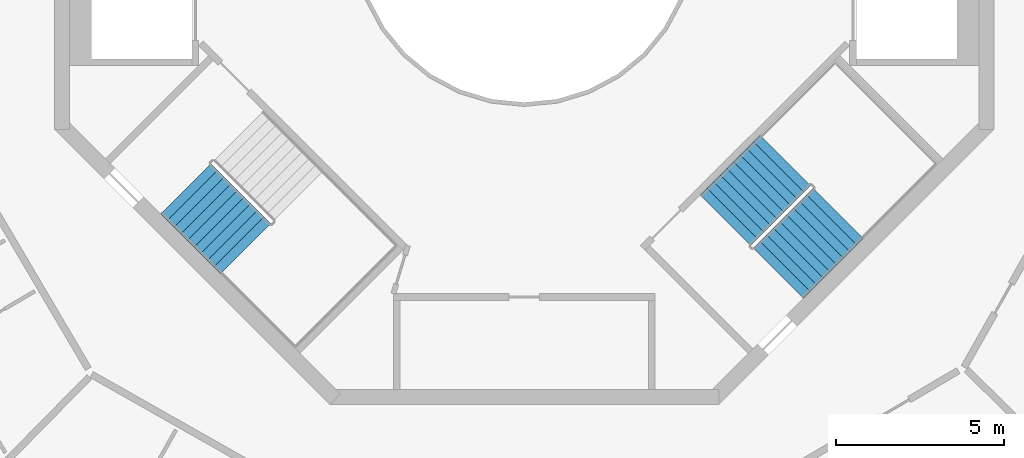
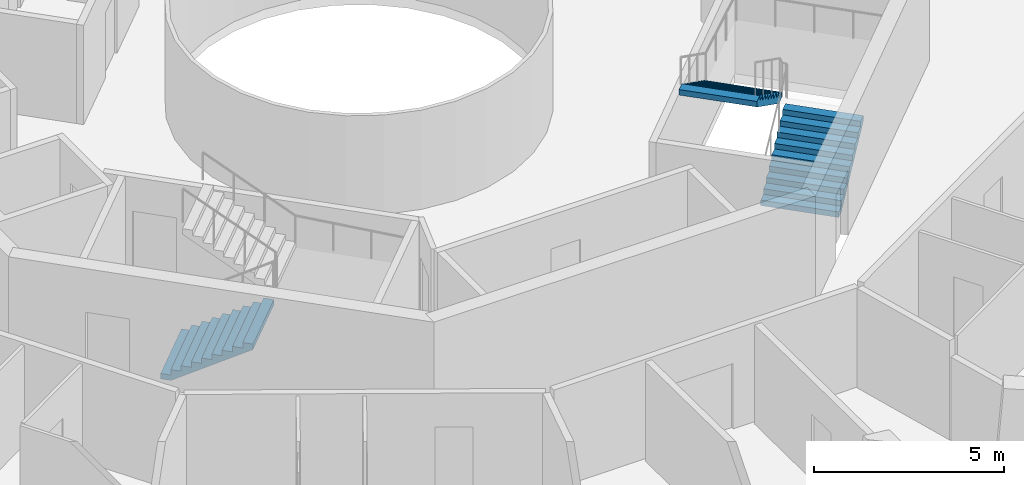
# One storey, part 24 of 26: 3 stair flights, 2 elements without a shape of their own.
"""IFC4 building model written with IfcOpenShell, lengths in metres."""

from ifc_helpers import new_model, si_unit, direction, frame, origin, place, context, subcontext, project, spatial, triangles, material, type_object, element, aggregate, save


model = new_model("IFC4")

# Units and contexts
model_context = context("Model", 3, precision=1e-05, world=origin(), true_north=direction((0.0, 1.0)))
body_context = subcontext(model_context, "Body", "Model", "MODEL_VIEW")
ifc_project = project(units=[si_unit("LENGTHUNIT", "METRE"), si_unit("AREAUNIT", "SQUARE_METRE"), si_unit("VOLUMEUNIT", "CUBIC_METRE"), si_unit("PLANEANGLEUNIT", "RADIAN"), si_unit("MASSUNIT", "GRAM", prefix="KILO")], contexts=[model_context])

# Site, building, storey
site_placement = place(None, origin())
site = spatial("IfcSite", under=ifc_project, at=site_placement, CompositionType="ELEMENT")
building_placement = place(site_placement, origin())
building = spatial("IfcBuilding", under=site, at=building_placement, Name="Verdalira Terraces Hotel", CompositionType="ELEMENT")
storey_placement = place(building_placement, frame((0.0, 0.0, 281.0)))
storey = spatial("IfcBuildingStorey", under=building, at=storey_placement, Name="L69", CompositionType="ELEMENT", Elevation=281.0)

# Stair, stair flight
ifc_material_1 = material(Name="Concrete C40", Category="concrete")
stair_type = type_object("IfcStairType", Name="Core stair 20 risers 2125 mm wide", PredefinedType="HALF_TURN_STAIR", material=ifc_material_1)
stair_1_placement = place(storey_placement, origin())
stair_1 = element("IfcStair", 1, at=stair_1_placement, inside=storey, type_object=stair_type, Name="L69 Exit stair ST2", PredefinedType="HALF_TURN_STAIR")
ifc_material_2 = material(Name="Concrete C40", Category="concrete")
stair_flight_type = type_object("IfcStairFlightType", Name="Core stair flight 20 risers 2125 mm wide", PredefinedType="STRAIGHT", material=ifc_material_2)
stair_flight_1_placement = place(storey_placement, frame((-10.085205, -7.574951, 0.0), z_axis=(0.0, 0.0, 1.0), x_axis=(0.707106781, -0.707106781, 0.0)))
stair_flight_1 = element("IfcStairFlight", 2, at=stair_flight_1_placement, type_object=stair_flight_type, Name="ST2 flight 1", NumberOfRisers=10, NumberOfTreads=9, PredefinedType="STRAIGHT", RiserHeight=0.175, TreadLength=0.28, context=body_context, shape_type="Tessellation", body=[
    triangles([(0.0, 1.0625, 0.0), (0.282715, 1.0625, 0.0), (2.52002, 1.0625, 1.398193), (0.0, -1.0625, 0.0), (0.282715, -1.0625, 0.0), (2.52002, -1.0625, 1.398193), (2.52002, 1.0625, 1.574951), (2.23999, 1.0625, 1.574951), (2.52002, -1.0625, 1.574951), (2.23999, -1.0625, 1.574951), (2.23999, 1.0625, 1.399902), (2.23999, -1.0625, 1.399902), (1.959961, 1.0625, 1.399902), (1.959961, -1.0625, 1.399902), (1.959961, 1.0625, 1.225098), (1.959961, -1.0625, 1.225098), (1.679932, 1.0625, 1.225098), (1.679932, 1.0625, 1.050049), (1.679932, -1.0625, 1.225098), (1.679932, -1.0625, 1.050049), (1.399902, 1.0625, 1.050049), (1.399902, 1.0625, 0.875), (1.399902, -1.0625, 1.050049), (1.399902, -1.0625, 0.875), (1.120117, 1.0625, 0.875), (1.120117, 1.0625, 0.699951), (1.120117, -1.0625, 0.875), (1.120117, -1.0625, 0.699951), (0.840088, 1.0625, 0.699951), (0.840088, 1.0625, 0.524902), (0.840088, -1.0625, 0.699951), (0.840088, -1.0625, 0.524902), (0.560059, 1.0625, 0.524902), (0.560059, 1.0625, 0.350098), (0.560059, -1.0625, 0.524902), (0.560059, -1.0625, 0.350098), (0.280029, 1.0625, 0.350098), (0.280029, 1.0625, 0.175049), (0.280029, -1.0625, 0.350098), (0.280029, -1.0625, 0.175049), (0.0, 1.0625, 0.175049), (0.0, -1.0625, 0.175049), (0.0, -0.996094, 0.0), (0.0, -0.996094, 0.175049), (0.0, -0.929688, 0.0), (0.0, -0.929688, 0.175049), (0.0, -0.863281, 0.0), (0.0, -0.863281, 0.175049), (0.0, -0.796875, 0.0), (0.0, -0.796875, 0.175049), (0.0, -0.730469, 0.0), (0.0, -0.730469, 0.175049), (0.0, -0.664062, 0.0), (0.0, -0.664062, 0.175049), (0.0, -0.597656, 0.0), (0.0, -0.597656, 0.175049), (0.0, -0.53125, 0.0), (0.0, -0.53125, 0.175049), (0.0, -0.464844, 0.0), (0.0, -0.464844, 0.175049), (0.0, -0.398438, 0.0), (0.0, -0.398438, 0.175049), (0.0, -0.332031, 0.0), (0.0, -0.332031, 0.175049), (0.0, -0.265625, 0.0), (0.0, -0.265625, 0.175049), (0.0, -0.199219, 0.0), (0.0, -0.199219, 0.175049), (0.0, -0.132812, 0.0), (0.0, -0.132812, 0.175049), (0.0, -0.066406, 0.0), (0.0, -0.066406, 0.175049), (0.0, 0.0, 0.0), (0.0, 0.0, 0.175049), (0.0, 0.066406, 0.0), (0.0, 0.066406, 0.175049), (0.0, 0.132812, 0.0), (0.0, 0.132812, 0.175049), (0.0, 0.199219, 0.0), (0.0, 0.199219, 0.175049), (0.0, 0.265625, 0.0), (0.0, 0.265625, 0.175049), (0.0, 0.332031, 0.0), (0.0, 0.332031, 0.175049), (0.0, 0.398438, 0.0), (0.0, 0.398438, 0.175049), (0.0, 0.464844, 0.0), (0.0, 0.464844, 0.175049), (0.0, 0.53125, 0.0), (0.0, 0.53125, 0.175049), (0.0, 0.597656, 0.0), (0.0, 0.597656, 0.175049), (0.0, 0.664062, 0.0), (0.0, 0.664062, 0.175049), (0.0, 0.730469, 0.0), (0.0, 0.730469, 0.175049), (0.0, 0.796875, 0.0), (0.0, 0.796875, 0.175049), (0.0, 0.863281, 0.0), (0.0, 0.863281, 0.175049), (0.0, 0.929688, 0.0), (0.0, 0.929688, 0.175049), (0.0, 0.996094, 0.0), (0.0, 0.996094, 0.175049), (2.52002, -0.996094, 1.574951), (2.52002, -0.929688, 1.574951), (2.52002, -0.863281, 1.574951), (2.52002, -0.796875, 1.574951), (2.52002, -0.730469, 1.574951), (2.52002, -0.664062, 1.574951), (2.52002, -0.597656, 1.574951), (2.52002, -0.53125, 1.574951), (2.52002, -0.464844, 1.574951), (2.52002, -0.398438, 1.574951), (2.52002, -0.332031, 1.574951), (2.52002, -0.265625, 1.574951), (2.52002, -0.199219, 1.574951), (2.52002, -0.132812, 1.574951), (2.52002, -0.066406, 1.574951), (2.52002, 0.0, 1.574951), (2.52002, 0.066406, 1.574951), (2.52002, 0.132812, 1.574951), (2.52002, 0.199219, 1.574951), (2.52002, 0.265625, 1.574951), (2.52002, 0.332031, 1.574951), (2.52002, 0.398438, 1.574951), (2.52002, 0.464844, 1.574951), (2.52002, 0.53125, 1.574951), (2.52002, 0.597656, 1.574951), (2.52002, 0.664062, 1.574951), (2.52002, 0.730469, 1.574951), (2.52002, 0.796875, 1.574951), (2.52002, 0.863281, 1.574951), (2.52002, 0.929688, 1.574951), (2.52002, 0.996094, 1.574951), (2.52002, -0.996094, 1.398193), (2.52002, -0.929688, 1.398193), (2.52002, -0.863281, 1.398193), (2.52002, -0.796875, 1.398193), (2.52002, -0.730469, 1.398193), (2.52002, -0.664062, 1.398193), (2.52002, -0.597656, 1.398193), (2.52002, -0.53125, 1.398193), (2.52002, -0.464844, 1.398193), (2.52002, -0.398438, 1.398193), (2.52002, -0.332031, 1.398193), (2.52002, -0.265625, 1.398193), (2.52002, -0.199219, 1.398193), (2.52002, -0.132812, 1.398193), (2.52002, -0.066406, 1.398193), (2.52002, 0.0, 1.398193), (2.52002, 0.066406, 1.398193), (2.52002, 0.132812, 1.398193), (2.52002, 0.199219, 1.398193), (2.52002, 0.265625, 1.398193), (2.52002, 0.332031, 1.398193), (2.52002, 0.398438, 1.398193), (2.52002, 0.464844, 1.398193), (2.52002, 0.53125, 1.398193), (2.52002, 0.597656, 1.398193), (2.52002, 0.664062, 1.398193), (2.52002, 0.730469, 1.398193), (2.52002, 0.796875, 1.398193), (2.52002, 0.863281, 1.398193), (2.52002, 0.929688, 1.398193), (2.52002, 0.996094, 1.398193)], [[1, 3, 2], [4, 5, 6], [3, 8, 7], [6, 9, 10], [3, 11, 8], [6, 10, 12], [3, 13, 11], [6, 12, 14], [3, 15, 13], [6, 14, 16], [15, 18, 17], [16, 19, 20], [3, 18, 15], [6, 16, 20], [18, 22, 21], [20, 23, 24], [3, 22, 18], [6, 20, 24], [22, 26, 25], [24, 27, 28], [3, 26, 22], [6, 24, 28], [26, 30, 29], [28, 31, 32], [3, 30, 26], [6, 28, 32], [1, 30, 3], [4, 6, 32], [30, 34, 33], [32, 35, 36], [34, 38, 37], [36, 39, 40], [30, 38, 34], [32, 36, 40], [1, 38, 30], [4, 32, 40], [38, 1, 41], [40, 42, 4], [4, 44, 43], [4, 42, 44], [43, 46, 45], [43, 44, 46], [45, 48, 47], [45, 46, 48], [47, 50, 49], [47, 48, 50], [49, 52, 51], [49, 50, 52], [51, 54, 53], [51, 52, 54], [53, 56, 55], [53, 54, 56], [55, 58, 57], [55, 56, 58], [57, 60, 59], [57, 58, 60], [59, 62, 61], [59, 60, 62], [61, 64, 63], [61, 62, 64], [63, 66, 65], [63, 64, 66], [65, 68, 67], [65, 66, 68], [67, 70, 69], [67, 68, 70], [69, 72, 71], [69, 70, 72], [71, 74, 73], [71, 72, 74], [73, 76, 75], [73, 74, 76], [75, 78, 77], [75, 76, 78], [77, 80, 79], [77, 78, 80], [79, 82, 81], [79, 80, 82], [81, 84, 83], [81, 82, 84], [83, 86, 85], [83, 84, 86], [85, 88, 87], [85, 86, 88], [87, 90, 89], [87, 88, 90], [89, 92, 91], [89, 90, 92], [91, 94, 93], [91, 92, 94], [93, 96, 95], [93, 94, 96], [95, 98, 97], [95, 96, 98], [97, 100, 99], [97, 98, 100], [99, 102, 101], [99, 100, 102], [101, 104, 103], [101, 102, 104], [103, 41, 1], [103, 104, 41], [42, 40, 44], [44, 40, 46], [46, 40, 48], [48, 40, 50], [50, 40, 52], [52, 40, 54], [54, 40, 56], [56, 40, 58], [58, 40, 60], [60, 40, 62], [62, 40, 64], [64, 40, 66], [66, 40, 68], [68, 40, 70], [70, 40, 72], [72, 40, 74], [74, 40, 76], [76, 40, 78], [78, 40, 80], [80, 40, 82], [82, 40, 84], [84, 40, 86], [86, 40, 88], [88, 40, 90], [90, 40, 92], [92, 40, 94], [94, 40, 96], [96, 40, 98], [98, 40, 100], [100, 40, 102], [102, 40, 104], [104, 40, 41], [41, 40, 38], [40, 37, 38], [40, 39, 37], [39, 34, 37], [39, 36, 34], [36, 33, 34], [36, 35, 33], [35, 30, 33], [35, 32, 30], [32, 29, 30], [32, 31, 29], [31, 26, 29], [31, 28, 26], [28, 25, 26], [28, 27, 25], [27, 22, 25], [27, 24, 22], [24, 21, 22], [24, 23, 21], [23, 18, 21], [23, 20, 18], [20, 17, 18], [20, 19, 17], [19, 15, 17], [19, 16, 15], [16, 13, 15], [16, 14, 13], [14, 11, 13], [14, 12, 11], [12, 8, 11], [12, 10, 8], [9, 105, 10], [105, 106, 10], [106, 107, 10], [107, 108, 10], [108, 109, 10], [109, 110, 10], [110, 111, 10], [111, 112, 10], [112, 113, 10], [113, 114, 10], [114, 115, 10], [115, 116, 10], [116, 117, 10], [117, 118, 10], [118, 119, 10], [119, 120, 10], [120, 121, 10], [121, 122, 10], [122, 123, 10], [123, 124, 10], [124, 125, 10], [125, 126, 10], [126, 127, 10], [127, 128, 10], [128, 129, 10], [129, 130, 10], [130, 131, 10], [131, 132, 10], [132, 133, 10], [133, 134, 10], [134, 135, 10], [135, 7, 10], [7, 8, 10], [9, 136, 105], [9, 6, 136], [105, 137, 106], [105, 136, 137], [106, 138, 107], [106, 137, 138], [107, 139, 108], [107, 138, 139], [108, 140, 109], [108, 139, 140], [109, 141, 110], [109, 140, 141], [110, 142, 111], [110, 141, 142], [111, 143, 112], [111, 142, 143], [112, 144, 113], [112, 143, 144], [113, 145, 114], [113, 144, 145], [114, 146, 115], [114, 145, 146], [115, 147, 116], [115, 146, 147], [116, 148, 117], [116, 147, 148], [117, 149, 118], [117, 148, 149], [118, 150, 119], [118, 149, 150], [119, 151, 120], [119, 150, 151], [120, 152, 121], [120, 151, 152], [121, 153, 122], [121, 152, 153], [122, 154, 123], [122, 153, 154], [123, 155, 124], [123, 154, 155], [124, 156, 125], [124, 155, 156], [125, 157, 126], [125, 156, 157], [126, 158, 127], [126, 157, 158], [127, 159, 128], [127, 158, 159], [128, 160, 129], [128, 159, 160], [129, 161, 130], [129, 160, 161], [130, 162, 131], [130, 161, 162], [131, 163, 132], [131, 162, 163], [132, 164, 133], [132, 163, 164], [133, 165, 134], [133, 164, 165], [134, 166, 135], [134, 165, 166], [135, 3, 7], [135, 166, 3], [6, 5, 136], [136, 5, 137], [137, 5, 138], [138, 5, 139], [139, 5, 140], [140, 5, 141], [141, 5, 142], [142, 5, 143], [143, 5, 144], [144, 5, 145], [145, 5, 146], [146, 5, 147], [147, 5, 148], [148, 5, 149], [149, 5, 150], [150, 5, 151], [151, 5, 152], [152, 5, 153], [153, 5, 154], [154, 5, 155], [155, 5, 156], [156, 5, 157], [157, 5, 158], [158, 5, 159], [159, 5, 160], [160, 5, 161], [161, 5, 162], [162, 5, 163], [163, 5, 164], [164, 5, 165], [165, 5, 166], [166, 5, 3], [3, 5, 2], [4, 43, 5], [43, 45, 5], [45, 47, 5], [47, 49, 5], [49, 51, 5], [51, 53, 5], [53, 55, 5], [55, 57, 5], [57, 59, 5], [59, 61, 5], [61, 63, 5], [63, 65, 5], [65, 67, 5], [67, 69, 5], [69, 71, 5], [71, 73, 5], [73, 75, 5], [75, 77, 5], [77, 79, 5], [79, 81, 5], [81, 83, 5], [83, 85, 5], [85, 87, 5], [87, 89, 5], [89, 91, 5], [91, 93, 5], [93, 95, 5], [95, 97, 5], [97, 99, 5], [99, 101, 5], [101, 103, 5], [103, 1, 5], [1, 2, 5]], closed=True),
])
aggregate(stair_1, [stair_flight_1])

# Stair, stair flights
stair_2_placement = place(storey_placement, origin())
stair_2 = element("IfcStair", 3, at=stair_2_placement, inside=storey, type_object=stair_type, Name="L69 Exit stair ST3", PredefinedType="HALF_TURN_STAIR")
stair_flight_2_placement = place(storey_placement, frame((7.574951, -10.085205, 0.0), z_axis=(0.0, 0.0, 1.0), x_axis=(0.707106781, 0.707106781, 0.0)))
stair_flight_2 = element("IfcStairFlight", 4, at=stair_flight_2_placement, type_object=stair_flight_type, Name="ST3 flight 1", NumberOfRisers=10, NumberOfTreads=9, PredefinedType="STRAIGHT", RiserHeight=0.175, TreadLength=0.28, context=body_context, shape_type="Tessellation", body=[
    triangles([(0.0, 1.0625, 0.0), (0.282715, 1.0625, 0.0), (2.52002, 1.0625, 1.398193), (0.0, -1.0625, 0.0), (0.282715, -1.0625, 0.0), (2.52002, -1.0625, 1.398193), (2.52002, 1.0625, 1.574951), (2.23999, 1.0625, 1.574951), (2.52002, -1.0625, 1.574951), (2.23999, -1.0625, 1.574951), (2.23999, 1.0625, 1.399902), (2.23999, -1.0625, 1.399902), (1.959961, 1.0625, 1.399902), (1.959961, -1.0625, 1.399902), (1.959961, 1.0625, 1.225098), (1.959961, -1.0625, 1.225098), (1.679932, 1.0625, 1.225098), (1.679932, 1.0625, 1.050049), (1.679932, -1.0625, 1.225098), (1.679932, -1.0625, 1.050049), (1.399902, 1.0625, 1.050049), (1.399902, 1.0625, 0.875), (1.399902, -1.0625, 1.050049), (1.399902, -1.0625, 0.875), (1.120117, 1.0625, 0.875), (1.120117, 1.0625, 0.699951), (1.120117, -1.0625, 0.875), (1.120117, -1.0625, 0.699951), (0.840088, 1.0625, 0.699951), (0.840088, 1.0625, 0.524902), (0.840088, -1.0625, 0.699951), (0.840088, -1.0625, 0.524902), (0.560059, 1.0625, 0.524902), (0.560059, 1.0625, 0.350098), (0.560059, -1.0625, 0.524902), (0.560059, -1.0625, 0.350098), (0.280029, 1.0625, 0.350098), (0.280029, 1.0625, 0.175049), (0.280029, -1.0625, 0.350098), (0.280029, -1.0625, 0.175049), (0.0, 1.0625, 0.175049), (0.0, -1.0625, 0.175049), (0.0, -0.996094, 0.0), (0.0, -0.996094, 0.175049), (0.0, -0.929688, 0.0), (0.0, -0.929688, 0.175049), (0.0, -0.863281, 0.0), (0.0, -0.863281, 0.175049), (0.0, -0.796875, 0.0), (0.0, -0.796875, 0.175049), (0.0, -0.730469, 0.0), (0.0, -0.730469, 0.175049), (0.0, -0.664062, 0.0), (0.0, -0.664062, 0.175049), (0.0, -0.597656, 0.0), (0.0, -0.597656, 0.175049), (0.0, -0.53125, 0.0), (0.0, -0.53125, 0.175049), (0.0, -0.464844, 0.0), (0.0, -0.464844, 0.175049), (0.0, -0.398438, 0.0), (0.0, -0.398438, 0.175049), (0.0, -0.332031, 0.0), (0.0, -0.332031, 0.175049), (0.0, -0.265625, 0.0), (0.0, -0.265625, 0.175049), (0.0, -0.199219, 0.0), (0.0, -0.199219, 0.175049), (0.0, -0.132812, 0.0), (0.0, -0.132812, 0.175049), (0.0, -0.066406, 0.0), (0.0, -0.066406, 0.175049), (0.0, 0.0, 0.0), (0.0, 0.0, 0.175049), (0.0, 0.066406, 0.0), (0.0, 0.066406, 0.175049), (0.0, 0.132812, 0.0), (0.0, 0.132812, 0.175049), (0.0, 0.199219, 0.0), (0.0, 0.199219, 0.175049), (0.0, 0.265625, 0.0), (0.0, 0.265625, 0.175049), (0.0, 0.332031, 0.0), (0.0, 0.332031, 0.175049), (0.0, 0.398438, 0.0), (0.0, 0.398438, 0.175049), (0.0, 0.464844, 0.0), (0.0, 0.464844, 0.175049), (0.0, 0.53125, 0.0), (0.0, 0.53125, 0.175049), (0.0, 0.597656, 0.0), (0.0, 0.597656, 0.175049), (0.0, 0.664062, 0.0), (0.0, 0.664062, 0.175049), (0.0, 0.730469, 0.0), (0.0, 0.730469, 0.175049), (0.0, 0.796875, 0.0), (0.0, 0.796875, 0.175049), (0.0, 0.863281, 0.0), (0.0, 0.863281, 0.175049), (0.0, 0.929688, 0.0), (0.0, 0.929688, 0.175049), (0.0, 0.996094, 0.0), (0.0, 0.996094, 0.175049), (2.52002, -0.996094, 1.574951), (2.52002, -0.929688, 1.574951), (2.52002, -0.863281, 1.574951), (2.52002, -0.796875, 1.574951), (2.52002, -0.730469, 1.574951), (2.52002, -0.664062, 1.574951), (2.52002, -0.597656, 1.574951), (2.52002, -0.53125, 1.574951), (2.52002, -0.464844, 1.574951), (2.52002, -0.398438, 1.574951), (2.52002, -0.332031, 1.574951), (2.52002, -0.265625, 1.574951), (2.52002, -0.199219, 1.574951), (2.52002, -0.132812, 1.574951), (2.52002, -0.066406, 1.574951), (2.52002, 0.0, 1.574951), (2.52002, 0.066406, 1.574951), (2.52002, 0.132812, 1.574951), (2.52002, 0.199219, 1.574951), (2.52002, 0.265625, 1.574951), (2.52002, 0.332031, 1.574951), (2.52002, 0.398438, 1.574951), (2.52002, 0.464844, 1.574951), (2.52002, 0.53125, 1.574951), (2.52002, 0.597656, 1.574951), (2.52002, 0.664062, 1.574951), (2.52002, 0.730469, 1.574951), (2.52002, 0.796875, 1.574951), (2.52002, 0.863281, 1.574951), (2.52002, 0.929688, 1.574951), (2.52002, 0.996094, 1.574951), (2.52002, -0.996094, 1.398193), (2.52002, -0.929688, 1.398193), (2.52002, -0.863281, 1.398193), (2.52002, -0.796875, 1.398193), (2.52002, -0.730469, 1.398193), (2.52002, -0.664062, 1.398193), (2.52002, -0.597656, 1.398193), (2.52002, -0.53125, 1.398193), (2.52002, -0.464844, 1.398193), (2.52002, -0.398438, 1.398193), (2.52002, -0.332031, 1.398193), (2.52002, -0.265625, 1.398193), (2.52002, -0.199219, 1.398193), (2.52002, -0.132812, 1.398193), (2.52002, -0.066406, 1.398193), (2.52002, 0.0, 1.398193), (2.52002, 0.066406, 1.398193), (2.52002, 0.132812, 1.398193), (2.52002, 0.199219, 1.398193), (2.52002, 0.265625, 1.398193), (2.52002, 0.332031, 1.398193), (2.52002, 0.398438, 1.398193), (2.52002, 0.464844, 1.398193), (2.52002, 0.53125, 1.398193), (2.52002, 0.597656, 1.398193), (2.52002, 0.664062, 1.398193), (2.52002, 0.730469, 1.398193), (2.52002, 0.796875, 1.398193), (2.52002, 0.863281, 1.398193), (2.52002, 0.929688, 1.398193), (2.52002, 0.996094, 1.398193)], [[1, 3, 2], [4, 5, 6], [3, 8, 7], [6, 9, 10], [3, 11, 8], [6, 10, 12], [3, 13, 11], [6, 12, 14], [3, 15, 13], [6, 14, 16], [15, 18, 17], [16, 19, 20], [3, 18, 15], [6, 16, 20], [18, 22, 21], [20, 23, 24], [3, 22, 18], [6, 20, 24], [22, 26, 25], [24, 27, 28], [3, 26, 22], [6, 24, 28], [26, 30, 29], [28, 31, 32], [3, 30, 26], [6, 28, 32], [1, 30, 3], [4, 6, 32], [30, 34, 33], [32, 35, 36], [34, 38, 37], [36, 39, 40], [30, 38, 34], [32, 36, 40], [1, 38, 30], [4, 32, 40], [38, 1, 41], [40, 42, 4], [4, 44, 43], [4, 42, 44], [43, 46, 45], [43, 44, 46], [45, 48, 47], [45, 46, 48], [47, 50, 49], [47, 48, 50], [49, 52, 51], [49, 50, 52], [51, 54, 53], [51, 52, 54], [53, 56, 55], [53, 54, 56], [55, 58, 57], [55, 56, 58], [57, 60, 59], [57, 58, 60], [59, 62, 61], [59, 60, 62], [61, 64, 63], [61, 62, 64], [63, 66, 65], [63, 64, 66], [65, 68, 67], [65, 66, 68], [67, 70, 69], [67, 68, 70], [69, 72, 71], [69, 70, 72], [71, 74, 73], [71, 72, 74], [73, 76, 75], [73, 74, 76], [75, 78, 77], [75, 76, 78], [77, 80, 79], [77, 78, 80], [79, 82, 81], [79, 80, 82], [81, 84, 83], [81, 82, 84], [83, 86, 85], [83, 84, 86], [85, 88, 87], [85, 86, 88], [87, 90, 89], [87, 88, 90], [89, 92, 91], [89, 90, 92], [91, 94, 93], [91, 92, 94], [93, 96, 95], [93, 94, 96], [95, 98, 97], [95, 96, 98], [97, 100, 99], [97, 98, 100], [99, 102, 101], [99, 100, 102], [101, 104, 103], [101, 102, 104], [103, 41, 1], [103, 104, 41], [42, 40, 44], [44, 40, 46], [46, 40, 48], [48, 40, 50], [50, 40, 52], [52, 40, 54], [54, 40, 56], [56, 40, 58], [58, 40, 60], [60, 40, 62], [62, 40, 64], [64, 40, 66], [66, 40, 68], [68, 40, 70], [70, 40, 72], [72, 40, 74], [74, 40, 76], [76, 40, 78], [78, 40, 80], [80, 40, 82], [82, 40, 84], [84, 40, 86], [86, 40, 88], [88, 40, 90], [90, 40, 92], [92, 40, 94], [94, 40, 96], [96, 40, 98], [98, 40, 100], [100, 40, 102], [102, 40, 104], [104, 40, 41], [41, 40, 38], [40, 37, 38], [40, 39, 37], [39, 34, 37], [39, 36, 34], [36, 33, 34], [36, 35, 33], [35, 30, 33], [35, 32, 30], [32, 29, 30], [32, 31, 29], [31, 26, 29], [31, 28, 26], [28, 25, 26], [28, 27, 25], [27, 22, 25], [27, 24, 22], [24, 21, 22], [24, 23, 21], [23, 18, 21], [23, 20, 18], [20, 17, 18], [20, 19, 17], [19, 15, 17], [19, 16, 15], [16, 13, 15], [16, 14, 13], [14, 11, 13], [14, 12, 11], [12, 8, 11], [12, 10, 8], [9, 105, 10], [105, 106, 10], [106, 107, 10], [107, 108, 10], [108, 109, 10], [109, 110, 10], [110, 111, 10], [111, 112, 10], [112, 113, 10], [113, 114, 10], [114, 115, 10], [115, 116, 10], [116, 117, 10], [117, 118, 10], [118, 119, 10], [119, 120, 10], [120, 121, 10], [121, 122, 10], [122, 123, 10], [123, 124, 10], [124, 125, 10], [125, 126, 10], [126, 127, 10], [127, 128, 10], [128, 129, 10], [129, 130, 10], [130, 131, 10], [131, 132, 10], [132, 133, 10], [133, 134, 10], [134, 135, 10], [135, 7, 10], [7, 8, 10], [9, 136, 105], [9, 6, 136], [105, 137, 106], [105, 136, 137], [106, 138, 107], [106, 137, 138], [107, 139, 108], [107, 138, 139], [108, 140, 109], [108, 139, 140], [109, 141, 110], [109, 140, 141], [110, 142, 111], [110, 141, 142], [111, 143, 112], [111, 142, 143], [112, 144, 113], [112, 143, 144], [113, 145, 114], [113, 144, 145], [114, 146, 115], [114, 145, 146], [115, 147, 116], [115, 146, 147], [116, 148, 117], [116, 147, 148], [117, 149, 118], [117, 148, 149], [118, 150, 119], [118, 149, 150], [119, 151, 120], [119, 150, 151], [120, 152, 121], [120, 151, 152], [121, 153, 122], [121, 152, 153], [122, 154, 123], [122, 153, 154], [123, 155, 124], [123, 154, 155], [124, 156, 125], [124, 155, 156], [125, 157, 126], [125, 156, 157], [126, 158, 127], [126, 157, 158], [127, 159, 128], [127, 158, 159], [128, 160, 129], [128, 159, 160], [129, 161, 130], [129, 160, 161], [130, 162, 131], [130, 161, 162], [131, 163, 132], [131, 162, 163], [132, 164, 133], [132, 163, 164], [133, 165, 134], [133, 164, 165], [134, 166, 135], [134, 165, 166], [135, 3, 7], [135, 166, 3], [6, 5, 136], [136, 5, 137], [137, 5, 138], [138, 5, 139], [139, 5, 140], [140, 5, 141], [141, 5, 142], [142, 5, 143], [143, 5, 144], [144, 5, 145], [145, 5, 146], [146, 5, 147], [147, 5, 148], [148, 5, 149], [149, 5, 150], [150, 5, 151], [151, 5, 152], [152, 5, 153], [153, 5, 154], [154, 5, 155], [155, 5, 156], [156, 5, 157], [157, 5, 158], [158, 5, 159], [159, 5, 160], [160, 5, 161], [161, 5, 162], [162, 5, 163], [163, 5, 164], [164, 5, 165], [165, 5, 166], [166, 5, 3], [3, 5, 2], [4, 43, 5], [43, 45, 5], [45, 47, 5], [47, 49, 5], [49, 51, 5], [51, 53, 5], [53, 55, 5], [55, 57, 5], [57, 59, 5], [59, 61, 5], [61, 63, 5], [63, 65, 5], [65, 67, 5], [67, 69, 5], [69, 71, 5], [71, 73, 5], [73, 75, 5], [75, 77, 5], [77, 79, 5], [79, 81, 5], [81, 83, 5], [83, 85, 5], [85, 87, 5], [87, 89, 5], [89, 91, 5], [91, 93, 5], [93, 95, 5], [95, 97, 5], [97, 99, 5], [99, 101, 5], [101, 103, 5], [103, 1, 5], [1, 2, 5]], closed=True),
])
stair_flight_3_placement = place(storey_placement, frame((7.783447, -6.72998, 1.75), z_axis=(0.0, 0.0, 1.0), x_axis=(-0.707106781, -0.707106781, 0.0)))
stair_flight_3 = element("IfcStairFlight", 5, at=stair_flight_3_placement, type_object=stair_flight_type, Name="ST3 flight 2", NumberOfRisers=10, NumberOfTreads=9, PredefinedType="STRAIGHT", RiserHeight=0.175, TreadLength=0.28, context=body_context, shape_type="Tessellation", body=[
    triangles([(0.0, 1.0625, 0.0), (0.282715, 1.0625, 0.0), (2.52002, 1.0625, 1.398193), (0.0, -1.0625, 0.0), (0.282715, -1.0625, 0.0), (2.52002, -1.0625, 1.398193), (2.52002, 1.0625, 1.574951), (2.23999, 1.0625, 1.574951), (2.52002, -1.0625, 1.574951), (2.23999, -1.0625, 1.574951), (2.23999, 1.0625, 1.399902), (2.23999, -1.0625, 1.399902), (1.959961, 1.0625, 1.399902), (1.959961, -1.0625, 1.399902), (1.959961, 1.0625, 1.225098), (1.959961, -1.0625, 1.225098), (1.679932, 1.0625, 1.225098), (1.679932, 1.0625, 1.050049), (1.679932, -1.0625, 1.225098), (1.679932, -1.0625, 1.050049), (1.399902, 1.0625, 1.050049), (1.399902, 1.0625, 0.875), (1.399902, -1.0625, 1.050049), (1.399902, -1.0625, 0.875), (1.120117, 1.0625, 0.875), (1.120117, 1.0625, 0.699951), (1.120117, -1.0625, 0.875), (1.120117, -1.0625, 0.699951), (0.840088, 1.0625, 0.699951), (0.840088, 1.0625, 0.524902), (0.840088, -1.0625, 0.699951), (0.840088, -1.0625, 0.524902), (0.560059, 1.0625, 0.524902), (0.560059, 1.0625, 0.350098), (0.560059, -1.0625, 0.524902), (0.560059, -1.0625, 0.350098), (0.280029, 1.0625, 0.350098), (0.280029, 1.0625, 0.175049), (0.280029, -1.0625, 0.350098), (0.280029, -1.0625, 0.175049), (0.0, 1.0625, 0.175049), (0.0, -1.0625, 0.175049), (0.0, -0.996094, 0.0), (0.0, -0.996094, 0.175049), (0.0, -0.929688, 0.0), (0.0, -0.929688, 0.175049), (0.0, -0.863281, 0.0), (0.0, -0.863281, 0.175049), (0.0, -0.796875, 0.0), (0.0, -0.796875, 0.175049), (0.0, -0.730469, 0.0), (0.0, -0.730469, 0.175049), (0.0, -0.664062, 0.0), (0.0, -0.664062, 0.175049), (0.0, -0.597656, 0.0), (0.0, -0.597656, 0.175049), (0.0, -0.53125, 0.0), (0.0, -0.53125, 0.175049), (0.0, -0.464844, 0.0), (0.0, -0.464844, 0.175049), (0.0, -0.398438, 0.0), (0.0, -0.398438, 0.175049), (0.0, -0.332031, 0.0), (0.0, -0.332031, 0.175049), (0.0, -0.265625, 0.0), (0.0, -0.265625, 0.175049), (0.0, -0.199219, 0.0), (0.0, -0.199219, 0.175049), (0.0, -0.132812, 0.0), (0.0, -0.132812, 0.175049), (0.0, -0.066406, 0.0), (0.0, -0.066406, 0.175049), (0.0, 0.0, 0.0), (0.0, 0.0, 0.175049), (0.0, 0.066406, 0.0), (0.0, 0.066406, 0.175049), (0.0, 0.132812, 0.0), (0.0, 0.132812, 0.175049), (0.0, 0.199219, 0.0), (0.0, 0.199219, 0.175049), (0.0, 0.265625, 0.0), (0.0, 0.265625, 0.175049), (0.0, 0.332031, 0.0), (0.0, 0.332031, 0.175049), (0.0, 0.398438, 0.0), (0.0, 0.398438, 0.175049), (0.0, 0.464844, 0.0), (0.0, 0.464844, 0.175049), (0.0, 0.53125, 0.0), (0.0, 0.53125, 0.175049), (0.0, 0.597656, 0.0), (0.0, 0.597656, 0.175049), (0.0, 0.664062, 0.0), (0.0, 0.664062, 0.175049), (0.0, 0.730469, 0.0), (0.0, 0.730469, 0.175049), (0.0, 0.796875, 0.0), (0.0, 0.796875, 0.175049), (0.0, 0.863281, 0.0), (0.0, 0.863281, 0.175049), (0.0, 0.929688, 0.0), (0.0, 0.929688, 0.175049), (0.0, 0.996094, 0.0), (0.0, 0.996094, 0.175049), (2.52002, -0.996094, 1.574951), (2.52002, -0.929688, 1.574951), (2.52002, -0.863281, 1.574951), (2.52002, -0.796875, 1.574951), (2.52002, -0.730469, 1.574951), (2.52002, -0.664062, 1.574951), (2.52002, -0.597656, 1.574951), (2.52002, -0.53125, 1.574951), (2.52002, -0.464844, 1.574951), (2.52002, -0.398438, 1.574951), (2.52002, -0.332031, 1.574951), (2.52002, -0.265625, 1.574951), (2.52002, -0.199219, 1.574951), (2.52002, -0.132812, 1.574951), (2.52002, -0.066406, 1.574951), (2.52002, 0.0, 1.574951), (2.52002, 0.066406, 1.574951), (2.52002, 0.132812, 1.574951), (2.52002, 0.199219, 1.574951), (2.52002, 0.265625, 1.574951), (2.52002, 0.332031, 1.574951), (2.52002, 0.398438, 1.574951), (2.52002, 0.464844, 1.574951), (2.52002, 0.53125, 1.574951), (2.52002, 0.597656, 1.574951), (2.52002, 0.664062, 1.574951), (2.52002, 0.730469, 1.574951), (2.52002, 0.796875, 1.574951), (2.52002, 0.863281, 1.574951), (2.52002, 0.929688, 1.574951), (2.52002, 0.996094, 1.574951), (2.52002, -0.996094, 1.398193), (2.52002, -0.929688, 1.398193), (2.52002, -0.863281, 1.398193), (2.52002, -0.796875, 1.398193), (2.52002, -0.730469, 1.398193), (2.52002, -0.664062, 1.398193), (2.52002, -0.597656, 1.398193), (2.52002, -0.53125, 1.398193), (2.52002, -0.464844, 1.398193), (2.52002, -0.398438, 1.398193), (2.52002, -0.332031, 1.398193), (2.52002, -0.265625, 1.398193), (2.52002, -0.199219, 1.398193), (2.52002, -0.132812, 1.398193), (2.52002, -0.066406, 1.398193), (2.52002, 0.0, 1.398193), (2.52002, 0.066406, 1.398193), (2.52002, 0.132812, 1.398193), (2.52002, 0.199219, 1.398193), (2.52002, 0.265625, 1.398193), (2.52002, 0.332031, 1.398193), (2.52002, 0.398438, 1.398193), (2.52002, 0.464844, 1.398193), (2.52002, 0.53125, 1.398193), (2.52002, 0.597656, 1.398193), (2.52002, 0.664062, 1.398193), (2.52002, 0.730469, 1.398193), (2.52002, 0.796875, 1.398193), (2.52002, 0.863281, 1.398193), (2.52002, 0.929688, 1.398193), (2.52002, 0.996094, 1.398193)], [[1, 3, 2], [4, 5, 6], [3, 8, 7], [6, 9, 10], [3, 11, 8], [6, 10, 12], [3, 13, 11], [6, 12, 14], [3, 15, 13], [6, 14, 16], [15, 18, 17], [16, 19, 20], [3, 18, 15], [6, 16, 20], [18, 22, 21], [20, 23, 24], [3, 22, 18], [6, 20, 24], [22, 26, 25], [24, 27, 28], [3, 26, 22], [6, 24, 28], [26, 30, 29], [28, 31, 32], [3, 30, 26], [6, 28, 32], [1, 30, 3], [4, 6, 32], [30, 34, 33], [32, 35, 36], [34, 38, 37], [36, 39, 40], [30, 38, 34], [32, 36, 40], [1, 38, 30], [4, 32, 40], [38, 1, 41], [40, 42, 4], [4, 44, 43], [4, 42, 44], [43, 46, 45], [43, 44, 46], [45, 48, 47], [45, 46, 48], [47, 50, 49], [47, 48, 50], [49, 52, 51], [49, 50, 52], [51, 54, 53], [51, 52, 54], [53, 56, 55], [53, 54, 56], [55, 58, 57], [55, 56, 58], [57, 60, 59], [57, 58, 60], [59, 62, 61], [59, 60, 62], [61, 64, 63], [61, 62, 64], [63, 66, 65], [63, 64, 66], [65, 68, 67], [65, 66, 68], [67, 70, 69], [67, 68, 70], [69, 72, 71], [69, 70, 72], [71, 74, 73], [71, 72, 74], [73, 76, 75], [73, 74, 76], [75, 78, 77], [75, 76, 78], [77, 80, 79], [77, 78, 80], [79, 82, 81], [79, 80, 82], [81, 84, 83], [81, 82, 84], [83, 86, 85], [83, 84, 86], [85, 88, 87], [85, 86, 88], [87, 90, 89], [87, 88, 90], [89, 92, 91], [89, 90, 92], [91, 94, 93], [91, 92, 94], [93, 96, 95], [93, 94, 96], [95, 98, 97], [95, 96, 98], [97, 100, 99], [97, 98, 100], [99, 102, 101], [99, 100, 102], [101, 104, 103], [101, 102, 104], [103, 41, 1], [103, 104, 41], [42, 40, 44], [44, 40, 46], [46, 40, 48], [48, 40, 50], [50, 40, 52], [52, 40, 54], [54, 40, 56], [56, 40, 58], [58, 40, 60], [60, 40, 62], [62, 40, 64], [64, 40, 66], [66, 40, 68], [68, 40, 70], [70, 40, 72], [72, 40, 74], [74, 40, 76], [76, 40, 78], [78, 40, 80], [80, 40, 82], [82, 40, 84], [84, 40, 86], [86, 40, 88], [88, 40, 90], [90, 40, 92], [92, 40, 94], [94, 40, 96], [96, 40, 98], [98, 40, 100], [100, 40, 102], [102, 40, 104], [104, 40, 41], [41, 40, 38], [40, 37, 38], [40, 39, 37], [39, 34, 37], [39, 36, 34], [36, 33, 34], [36, 35, 33], [35, 30, 33], [35, 32, 30], [32, 29, 30], [32, 31, 29], [31, 26, 29], [31, 28, 26], [28, 25, 26], [28, 27, 25], [27, 22, 25], [27, 24, 22], [24, 21, 22], [24, 23, 21], [23, 18, 21], [23, 20, 18], [20, 17, 18], [20, 19, 17], [19, 15, 17], [19, 16, 15], [16, 13, 15], [16, 14, 13], [14, 11, 13], [14, 12, 11], [12, 8, 11], [12, 10, 8], [9, 105, 10], [105, 106, 10], [106, 107, 10], [107, 108, 10], [108, 109, 10], [109, 110, 10], [110, 111, 10], [111, 112, 10], [112, 113, 10], [113, 114, 10], [114, 115, 10], [115, 116, 10], [116, 117, 10], [117, 118, 10], [118, 119, 10], [119, 120, 10], [120, 121, 10], [121, 122, 10], [122, 123, 10], [123, 124, 10], [124, 125, 10], [125, 126, 10], [126, 127, 10], [127, 128, 10], [128, 129, 10], [129, 130, 10], [130, 131, 10], [131, 132, 10], [132, 133, 10], [133, 134, 10], [134, 135, 10], [135, 7, 10], [7, 8, 10], [9, 136, 105], [9, 6, 136], [105, 137, 106], [105, 136, 137], [106, 138, 107], [106, 137, 138], [107, 139, 108], [107, 138, 139], [108, 140, 109], [108, 139, 140], [109, 141, 110], [109, 140, 141], [110, 142, 111], [110, 141, 142], [111, 143, 112], [111, 142, 143], [112, 144, 113], [112, 143, 144], [113, 145, 114], [113, 144, 145], [114, 146, 115], [114, 145, 146], [115, 147, 116], [115, 146, 147], [116, 148, 117], [116, 147, 148], [117, 149, 118], [117, 148, 149], [118, 150, 119], [118, 149, 150], [119, 151, 120], [119, 150, 151], [120, 152, 121], [120, 151, 152], [121, 153, 122], [121, 152, 153], [122, 154, 123], [122, 153, 154], [123, 155, 124], [123, 154, 155], [124, 156, 125], [124, 155, 156], [125, 157, 126], [125, 156, 157], [126, 158, 127], [126, 157, 158], [127, 159, 128], [127, 158, 159], [128, 160, 129], [128, 159, 160], [129, 161, 130], [129, 160, 161], [130, 162, 131], [130, 161, 162], [131, 163, 132], [131, 162, 163], [132, 164, 133], [132, 163, 164], [133, 165, 134], [133, 164, 165], [134, 166, 135], [134, 165, 166], [135, 3, 7], [135, 166, 3], [6, 5, 136], [136, 5, 137], [137, 5, 138], [138, 5, 139], [139, 5, 140], [140, 5, 141], [141, 5, 142], [142, 5, 143], [143, 5, 144], [144, 5, 145], [145, 5, 146], [146, 5, 147], [147, 5, 148], [148, 5, 149], [149, 5, 150], [150, 5, 151], [151, 5, 152], [152, 5, 153], [153, 5, 154], [154, 5, 155], [155, 5, 156], [156, 5, 157], [157, 5, 158], [158, 5, 159], [159, 5, 160], [160, 5, 161], [161, 5, 162], [162, 5, 163], [163, 5, 164], [164, 5, 165], [165, 5, 166], [166, 5, 3], [3, 5, 2], [4, 43, 5], [43, 45, 5], [45, 47, 5], [47, 49, 5], [49, 51, 5], [51, 53, 5], [53, 55, 5], [55, 57, 5], [57, 59, 5], [59, 61, 5], [61, 63, 5], [63, 65, 5], [65, 67, 5], [67, 69, 5], [69, 71, 5], [71, 73, 5], [73, 75, 5], [75, 77, 5], [77, 79, 5], [79, 81, 5], [81, 83, 5], [83, 85, 5], [85, 87, 5], [87, 89, 5], [89, 91, 5], [91, 93, 5], [93, 95, 5], [95, 97, 5], [97, 99, 5], [99, 101, 5], [101, 103, 5], [103, 1, 5], [1, 2, 5]], closed=True),
])
aggregate(stair_2, [stair_flight_2, stair_flight_3])

save(model, "model.ifc")
